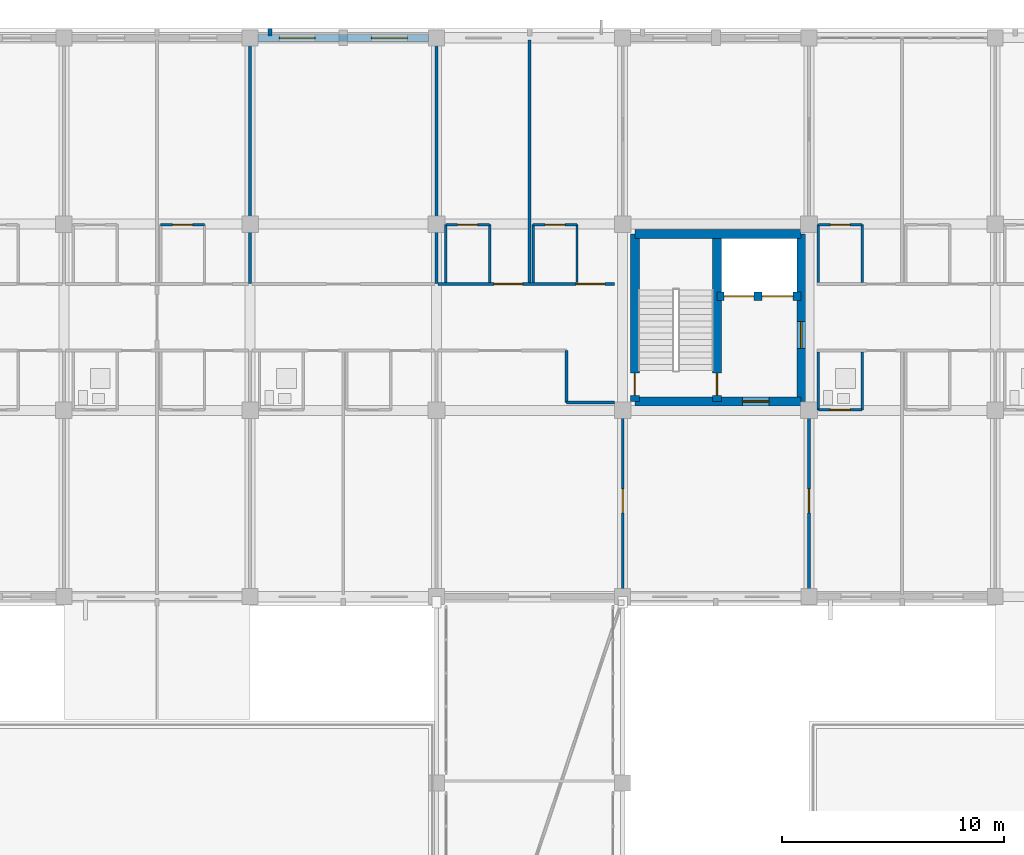
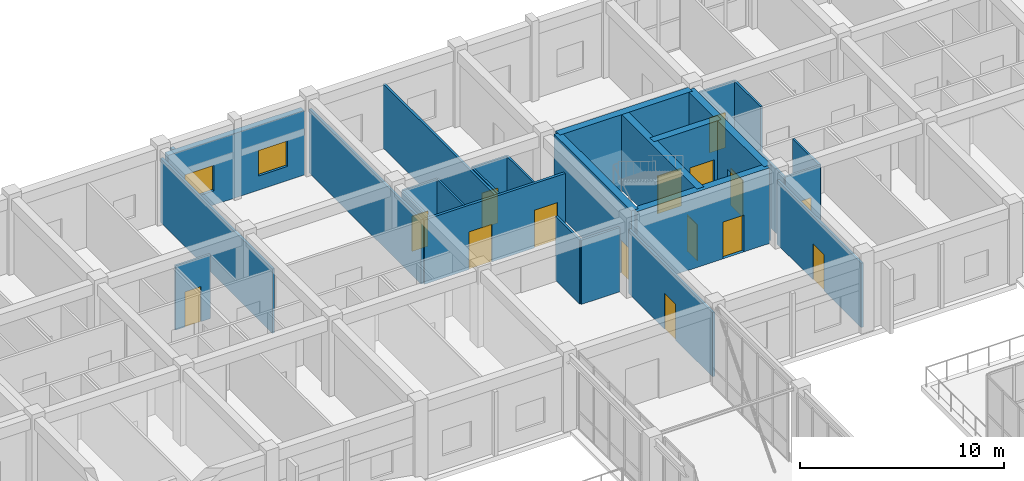
# One storey, part 131 of 158: 29 walls, 15 doors, 2 windows, 17 openings.
"""IFC4 building model written with IfcOpenShell, lengths in metres."""

from ifc_helpers import new_model, si_unit, direction, frame, frame_2d, origin, place, context, subcontext, project, spatial, rectangle, extrude, material, layer, layer_set, type_object, element, fill, save


model = new_model("IFC4")

# Units and contexts
model_context = context("Model", 3, precision=1e-05, world=origin(), true_north=direction((0.0, 1.0)))
body_context = subcontext(model_context, "Body", "Model", "MODEL_VIEW")
ifc_project = project(units=[si_unit("LENGTHUNIT", "METRE"), si_unit("AREAUNIT", "SQUARE_METRE"), si_unit("VOLUMEUNIT", "CUBIC_METRE"), si_unit("PLANEANGLEUNIT", "RADIAN"), si_unit("MASSUNIT", "GRAM", prefix="KILO")], contexts=[model_context])

# Site, building, storey
site_placement = place(None, origin())
site = spatial("IfcSite", under=ifc_project, at=site_placement, CompositionType="ELEMENT")
building_placement = place(site_placement, origin())
building = spatial("IfcBuilding", under=site, at=building_placement, Name="Trelvath General Hospital", CompositionType="ELEMENT")
storey_placement = place(building_placement, frame((0.0, 0.0, 8.10009765625)))
storey = spatial("IfcBuildingStorey", under=building, at=storey_placement, Name="L02", CompositionType="ELEMENT", Elevation=8.10009765625)

# Wall
ifc_material_1 = material(Name="Precast concrete C40/50", Category="concrete")
ifc_layer_1 = layer(ifc_material_1, 0.199951171875)
ifc_layer_set_1 = layer_set([ifc_layer_1], Name="Precast concrete C40/50")
wall_type_1 = type_object("IfcWallType", Name="BriseSoleilRib 200", PredefinedType="ELEMENTEDWALL", material=ifc_layer_set_1)
wall_1_placement = place(storey_placement, frame((68.09326171875, 117.675048828125, 0.0), z_axis=(0.0, 0.0, 1.0), x_axis=(0.0, 1.0, 0.0)))
element("IfcWall", 1, at=wall_1_placement, inside=storey, type_object=wall_type_1, Name="Precast Concrete Brise-Soleil Rib Fin L02-198", PredefinedType="ELEMENTEDWALL", context=body_context, shape_type="SweptSolid", body=[
    extrude(rectangle(XDim=0.33984375, YDim=0.199951171875, at=frame_2d((0.169921875, 0.0))), origin(), (0.0, 0.0, 1.0), 3.83984375),
])

# Wall, openings, doors
ifc_material_2 = material(Name="Gypsum acoustic steel-stud partition", Category="steel")
ifc_layer_2 = layer(ifc_material_2, 0.14990234375)
ifc_layer_set_2 = layer_set([ifc_layer_2], Name="Gypsum acoustic steel-stud partition")
wall_type_2 = type_object("IfcWallType", Name="ClinicalPartition 150", PredefinedType="PARTITIONING", material=ifc_layer_set_2)
wall_2_placement = place(storey_placement, frame((83.639892578125, 106.5, 0.0), z_axis=(0.0, 0.0, 1.0), x_axis=(-1.0, 0.0, 0.0)))
wall_2 = element("IfcWall", 2, at=wall_2_placement, inside=storey, type_object=wall_type_2, Name="Corridor Partition N L02-937", PredefinedType="PARTITIONING", context=body_context, shape_type="SweptSolid", body=[
    extrude(rectangle(XDim=7.9599609375, YDim=0.14990234375, at=frame_2d((3.97998046875, 0.0))), origin(), (0.0, 0.0, 1.0), 3.83984375),
])
opening_1_placement = place(wall_2_placement, frame((0.449951171875, 0.0, 0.0)))
opening_1 = element("IfcOpeningElement", 3, at=opening_1_placement, cuts=wall_2, Name="Opening D-2-0753", PredefinedType="OPENING", context=body_context, shape_type="SweptSolid", body=[
    extrude(rectangle(XDim=1.300048828125, YDim=2.25, at=frame_2d((0.64990234375, 1.125))), frame((0.0, 0.0849609375, 0.0), z_axis=(0.0, -1.0, 0.0), x_axis=(1.0, 0.0, 0.0)), (0.0, 0.0, 1.0), 0.169921875),
])
opening_2_placement = place(wall_2_placement, frame((4.14990234375, 0.0, 0.0)))
opening_2 = element("IfcOpeningElement", 4, at=opening_2_placement, cuts=wall_2, Name="Opening D-2-0754", PredefinedType="OPENING", context=body_context, shape_type="SweptSolid", body=[
    extrude(rectangle(XDim=1.300048828125, YDim=2.25, at=frame_2d((0.64990234375, 1.125))), frame((0.0, 0.0849609375, 0.0), z_axis=(0.0, -1.0, 0.0), x_axis=(1.0, 0.0, 0.0)), (0.0, 0.0, 1.0), 0.169921875),
])
ifc_material_3 = material(Name="Hospital bed-leaf timber door", Category="wood")
door_type_1 = type_object("IfcDoorType", Name="Door PatientBed 1300x2250", OperationType="NOTDEFINED", PredefinedType="DOOR", material=ifc_material_3)
door_1_placement = place(opening_1_placement, origin())
door_1 = element("IfcDoor", 5, at=door_1_placement, inside=storey, type_object=door_type_1, Name="Patient Room Door N L02-753", OperationType="SINGLE_SWING_LEFT", OverallHeight=2.25, OverallWidth=1.300048828125, PredefinedType="DOOR", context=body_context, shape_type="SweptSolid", body=[
    extrude(rectangle(XDim=1.300048828125, YDim=2.25, at=frame_2d((0.64990234375, 1.125))), frame((0.0, 0.02490234375, 0.0), z_axis=(0.0, -1.0, 0.0), x_axis=(1.0, 0.0, 0.0)), (0.0, 0.0, 1.0), 0.050048828125),
])
fill(opening_1, door_1)
door_2_placement = place(opening_2_placement, origin())
door_2 = element("IfcDoor", 6, at=door_2_placement, inside=storey, type_object=door_type_1, Name="Patient Room Door N L02-754", OperationType="SINGLE_SWING_LEFT", OverallHeight=2.25, OverallWidth=1.300048828125, PredefinedType="DOOR", context=body_context, shape_type="SweptSolid", body=[
    extrude(rectangle(XDim=1.300048828125, YDim=2.25, at=frame_2d((0.64990234375, 1.125))), frame((0.0, 0.02490234375, 0.0), z_axis=(0.0, -1.0, 0.0), x_axis=(1.0, 0.0, 0.0)), (0.0, 0.0, 1.0), 0.050048828125),
])
fill(opening_2, door_2)

# Wall, opening, door
ifc_material_4 = material(Name="Concrete C40/50", Category="concrete")
ifc_layer_3 = layer(ifc_material_4, 0.39990234375)
ifc_layer_set_3 = layer_set([ifc_layer_3], Name="Concrete C40/50")
wall_type_3 = type_object("IfcWallType", Name="CoreShearWall 400", PredefinedType="SHEAR", material=ifc_layer_set_3)
wall_3_placement = place(storey_placement, frame((84.550048828125, 101.199951171875, 0.0), z_axis=(0.0, 0.0, 1.0), x_axis=(1.0, 0.0, 0.0)))
wall_3 = element("IfcWall", 7, at=wall_3_placement, inside=storey, type_object=wall_type_3, Name="Core Shear Wall C2 S L02", PredefinedType="SHEAR", context=body_context, shape_type="SweptSolid", body=[
    extrude(rectangle(XDim=7.5, YDim=0.39990234375, at=frame_2d((3.75, 0.0))), origin(), (0.0, 0.0, 1.0), 4.52001953125),
])
opening_3_placement = place(wall_3_placement, frame((4.85009765625, 0.0, 0.0)))
opening_3 = element("IfcOpeningElement", 8, at=opening_3_placement, cuts=wall_3, Name="Opening FD-LS22", PredefinedType="OPENING", context=body_context, shape_type="SweptSolid", body=[
    extrude(rectangle(XDim=1.199951171875, YDim=2.199951171875, at=frame_2d((0.60009765625, 1.10009765625))), frame((0.0, 0.2099609375, 0.0), z_axis=(0.0, -1.0, 0.0), x_axis=(1.0, 0.0, 0.0)), (0.0, 0.0, 1.0), 0.419921875),
])
ifc_material_5 = material(Name="Fire-rated steel door", Category="steel")
door_type_2 = type_object("IfcDoorType", Name="Door FireLobby 1200x2200", OperationType="NOTDEFINED", PredefinedType="DOOR", material=ifc_material_5)
door_3_placement = place(opening_3_placement, origin())
door_3 = element("IfcDoor", 9, at=door_3_placement, inside=storey, type_object=door_type_2, Name="Fire Lobby South Door C2 L02", OperationType="SINGLE_SWING_RIGHT", OverallHeight=2.199951171875, OverallWidth=1.199951171875, PredefinedType="DOOR", context=body_context, shape_type="SweptSolid", body=[
    extrude(rectangle(XDim=1.199951171875, YDim=2.199951171875, at=frame_2d((0.60009765625, 1.10009765625))), frame((0.0, 0.02490234375, 0.0), z_axis=(0.0, -1.0, 0.0), x_axis=(1.0, 0.0, 0.0)), (0.0, 0.0, 1.0), 0.050048828125),
])
fill(opening_3, door_3)

# Wall
wall_4_placement = place(storey_placement, frame((84.550048828125, 108.75, 0.0), z_axis=(0.0, 0.0, 1.0), x_axis=(1.0, 0.0, 0.0)))
element("IfcWall", 10, at=wall_4_placement, inside=storey, type_object=wall_type_3, Name="Core Shear Wall C2 N L02", PredefinedType="SHEAR", context=body_context, shape_type="SweptSolid", body=[
    extrude(rectangle(XDim=7.5, YDim=0.39990234375, at=frame_2d((3.75, 0.0))), origin(), (0.0, 0.0, 1.0), 4.52001953125),
])

# Wall, opening, door
wall_5_placement = place(storey_placement, frame((84.550048828125, 101.199951171875, 0.0), z_axis=(0.0, 0.0, 1.0), x_axis=(0.0, 1.0, 0.0)))
wall_5 = element("IfcWall", 11, at=wall_5_placement, inside=storey, type_object=wall_type_3, Name="Core Shear Wall C2 W L02", PredefinedType="SHEAR", context=body_context, shape_type="SweptSolid", body=[
    extrude(rectangle(XDim=7.550048828125, YDim=0.39990234375, at=frame_2d((3.77490234375, 0.0))), origin(), (0.0, 0.0, 1.0), 4.52001953125),
])
opening_4_placement = place(wall_5_placement, frame((0.280029296875, 0.0, 0.0)))
opening_4 = element("IfcOpeningElement", 12, at=opening_4_placement, cuts=wall_5, Name="Opening FD-SW22", PredefinedType="OPENING", context=body_context, shape_type="SweptSolid", body=[
    extrude(rectangle(XDim=1.0, YDim=2.14990234375, at=frame_2d((0.5, 1.074951171875))), frame((0.0, 0.2099609375, 0.0), z_axis=(0.0, -1.0, 0.0), x_axis=(1.0, 0.0, 0.0)), (0.0, 0.0, 1.0), 0.419921875),
])
ifc_material_6 = material(Name="Fire-rated steel door", Category="steel")
door_type_3 = type_object("IfcDoorType", Name="Door FireStair 1100x2150", OperationType="NOTDEFINED", PredefinedType="DOOR", material=ifc_material_6)
door_4_placement = place(opening_4_placement, origin())
door_4 = element("IfcDoor", 13, at=door_4_placement, inside=storey, type_object=door_type_3, Name="West Corridor Stair Door ST2 L02", OperationType="SINGLE_SWING_LEFT", OverallHeight=2.14990234375, OverallWidth=1.0, PredefinedType="DOOR", context=body_context, shape_type="SweptSolid", body=[
    extrude(rectangle(XDim=1.0, YDim=2.14990234375, at=frame_2d((0.5, 1.074951171875))), frame((0.0, 0.02490234375, 0.0), z_axis=(0.0, -1.0, 0.0), x_axis=(1.0, 0.0, 0.0)), (0.0, 0.0, 1.0), 0.050048828125),
])
fill(opening_4, door_4)

wall_6_placement = place(storey_placement, frame((92.050048828125, 101.199951171875, 0.0), z_axis=(0.0, 0.0, 1.0), x_axis=(0.0, 1.0, 0.0)))
wall_6 = element("IfcWall", 14, at=wall_6_placement, inside=storey, type_object=wall_type_3, Name="Core Shear Wall C2 E L02", PredefinedType="SHEAR", context=body_context, shape_type="SweptSolid", body=[
    extrude(rectangle(XDim=7.550048828125, YDim=0.39990234375, at=frame_2d((3.77490234375, 0.0))), origin(), (0.0, 0.0, 1.0), 4.52001953125),
])
opening_5_placement = place(wall_6_placement, frame((2.39990234375, 0.0, 0.0)))
opening_5 = element("IfcOpeningElement", 15, at=opening_5_placement, cuts=wall_6, Name="Opening FD-LE22", PredefinedType="OPENING", context=body_context, shape_type="SweptSolid", body=[
    extrude(rectangle(XDim=1.199951171875, YDim=2.199951171875, at=frame_2d((0.60009765625, 1.10009765625))), frame((0.0, 0.2099609375, 0.0), z_axis=(0.0, -1.0, 0.0), x_axis=(1.0, 0.0, 0.0)), (0.0, 0.0, 1.0), 0.419921875),
])
door_5_placement = place(opening_5_placement, origin())
door_5 = element("IfcDoor", 16, at=door_5_placement, inside=storey, type_object=door_type_2, Name="Fire Lobby East Corridor Door C2 L02", OperationType="SINGLE_SWING_LEFT", OverallHeight=2.199951171875, OverallWidth=1.199951171875, PredefinedType="DOOR", context=body_context, shape_type="SweptSolid", body=[
    extrude(rectangle(XDim=1.199951171875, YDim=2.199951171875, at=frame_2d((0.60009765625, 1.10009765625))), frame((0.0, 0.02490234375, 0.0), z_axis=(0.0, -1.0, 0.0), x_axis=(1.0, 0.0, 0.0)), (0.0, 0.0, 1.0), 0.050048828125),
])
fill(opening_5, door_5)

wall_7_placement = place(storey_placement, frame((88.25, 101.199951171875, 0.0), z_axis=(0.0, 0.0, 1.0), x_axis=(0.0, 1.0, 0.0)))
wall_7 = element("IfcWall", 17, at=wall_7_placement, inside=storey, type_object=wall_type_3, Name="Core Shear Wall C2 SPINE L02", PredefinedType="SHEAR", context=body_context, shape_type="SweptSolid", body=[
    extrude(rectangle(XDim=7.550048828125, YDim=0.39990234375, at=frame_2d((3.77490234375, 0.0))), origin(), (0.0, 0.0, 1.0), 4.52001953125),
])
opening_6_placement = place(wall_7_placement, frame((0.280029296875, 0.0, 0.0)))
opening_6 = element("IfcOpeningElement", 18, at=opening_6_placement, cuts=wall_7, Name="Opening FD-S22", PredefinedType="OPENING", context=body_context, shape_type="SweptSolid", body=[
    extrude(rectangle(XDim=1.0, YDim=2.14990234375, at=frame_2d((0.5, 1.074951171875))), frame((0.0, 0.2099609375, 0.0), z_axis=(0.0, -1.0, 0.0), x_axis=(1.0, 0.0, 0.0)), (0.0, 0.0, 1.0), 0.419921875),
])
door_6_placement = place(opening_6_placement, origin())
door_6 = element("IfcDoor", 19, at=door_6_placement, inside=storey, type_object=door_type_3, Name="Exit Stair Door ST2 L02", OperationType="SINGLE_SWING_RIGHT", OverallHeight=2.14990234375, OverallWidth=1.0, PredefinedType="DOOR", context=body_context, shape_type="SweptSolid", body=[
    extrude(rectangle(XDim=1.0, YDim=2.14990234375, at=frame_2d((0.5, 1.074951171875))), frame((0.0, 0.02490234375, 0.0), z_axis=(0.0, -1.0, 0.0), x_axis=(1.0, 0.0, 0.0)), (0.0, 0.0, 1.0), 0.050048828125),
])
fill(opening_6, door_6)

# Wall, openings, doors
wall_8_placement = place(storey_placement, frame((88.25, 105.949951171875, 0.0), z_axis=(0.0, 0.0, 1.0), x_axis=(1.0, 0.0, 0.0)))
wall_8 = element("IfcWall", 20, at=wall_8_placement, inside=storey, type_object=wall_type_3, Name="Core Shear Wall C2 SHAFT L02", PredefinedType="SHEAR", context=body_context, shape_type="SweptSolid", body=[
    extrude(rectangle(XDim=3.800048828125, YDim=0.39990234375, at=frame_2d((1.89990234375, 0.0))), origin(), (0.0, 0.0, 1.0), 4.52001953125),
])
opening_7_placement = place(wall_8_placement, frame((0.320068359375, 0.0, 0.0)))
opening_7 = element("IfcOpeningElement", 21, at=opening_7_placement, cuts=wall_8, Name="Opening LD-FF2-2", PredefinedType="OPENING", context=body_context, shape_type="SweptSolid", body=[
    extrude(rectangle(XDim=1.35009765625, YDim=2.25, at=frame_2d((0.675048828125, 1.125))), frame((0.0, 0.2099609375, 0.0), z_axis=(0.0, -1.0, 0.0), x_axis=(1.0, 0.0, 0.0)), (0.0, 0.0, 1.0), 0.419921875),
])
opening_8_placement = place(wall_8_placement, frame((2.0400390625, 0.0, 0.0)))
opening_8 = element("IfcOpeningElement", 22, at=opening_8_placement, cuts=wall_8, Name="Opening LD-BD2-2", PredefinedType="OPENING", context=body_context, shape_type="SweptSolid", body=[
    extrude(rectangle(XDim=1.39990234375, YDim=2.25, at=frame_2d((0.699951171875, 1.125))), frame((0.0, 0.2099609375, 0.0), z_axis=(0.0, -1.0, 0.0), x_axis=(1.0, 0.0, 0.0)), (0.0, 0.0, 1.0), 0.419921875),
])
ifc_material_7 = material(Name="Stainless steel stretcher lift landing door", Category="steel")
door_type_4 = type_object("IfcDoorType", Name="Door LiftBed 1400x2250", OperationType="SLIDING_TO_LEFT", PredefinedType="DOOR", material=ifc_material_7)
door_7_placement = place(opening_8_placement, origin())
door_7 = element("IfcDoor", 23, at=door_7_placement, inside=storey, type_object=door_type_4, Name="Lift Landing Sliding Door LF-BD2 L02", OperationType="SLIDING_TO_LEFT", OverallHeight=2.25, OverallWidth=1.39990234375, PredefinedType="DOOR", context=body_context, shape_type="SweptSolid", body=[
    extrude(rectangle(XDim=1.39990234375, YDim=2.25, at=frame_2d((0.699951171875, 1.125))), frame((0.0, 0.02490234375, 0.0), z_axis=(0.0, -1.0, 0.0), x_axis=(1.0, 0.0, 0.0)), (0.0, 0.0, 1.0), 0.050048828125),
])
fill(opening_8, door_7)
ifc_material_8 = material(Name="Fire-rated stainless lift landing door")
door_type_5 = type_object("IfcDoorType", Name="Door LiftFire 1350x2250", OperationType="SLIDING_TO_LEFT", PredefinedType="DOOR", material=ifc_material_8)
door_8_placement = place(opening_7_placement, origin())
door_8 = element("IfcDoor", 24, at=door_8_placement, inside=storey, type_object=door_type_5, Name="Lift Landing Sliding Door LF-FF2 L02", OperationType="SLIDING_TO_LEFT", OverallHeight=2.25, OverallWidth=1.35009765625, PredefinedType="DOOR", context=body_context, shape_type="SweptSolid", body=[
    extrude(rectangle(XDim=1.35009765625, YDim=2.25, at=frame_2d((0.675048828125, 1.125))), frame((0.0, 0.02490234375, 0.0), z_axis=(0.0, -1.0, 0.0), x_axis=(1.0, 0.0, 0.0)), (0.0, 0.0, 1.0), 0.050048828125),
])
fill(opening_7, door_8)

# Wall, opening, door
ifc_material_9 = material(Name="Moisture-resistant tile partition")
ifc_layer_4 = layer(ifc_material_9, 0.110107421875)
ifc_layer_set_4 = layer_set([ifc_layer_4], Name="Moisture-resistant tile partition")
wall_type_4 = type_object("IfcWallType", Name="EnSuiteWetWall 110", PredefinedType="PARTITIONING", material=ifc_layer_set_4)
wall_9_placement = place(storey_placement, frame((63.159912109375, 109.179931640625, 0.0), z_axis=(0.0, 0.0, 1.0), x_axis=(1.0, 0.0, 0.0)))
wall_9 = element("IfcWall", 25, at=wall_9_placement, inside=storey, type_object=wall_type_4, Name="En-Suite Bathroom N Partition L02-919", PredefinedType="PARTITIONING", context=body_context, shape_type="SweptSolid", body=[
    extrude(rectangle(XDim=1.97998046875, YDim=0.110107421875, at=frame_2d((0.989990234375, 0.0))), origin(), (0.0, 0.0, 1.0), 3.83984375),
])
opening_9_placement = place(wall_9_placement, frame((0.5400390625, 0.0, 0.0)))
opening_9 = element("IfcOpeningElement", 26, at=opening_9_placement, cuts=wall_9, Name="Opening D-2-0745", PredefinedType="OPENING", context=body_context, shape_type="SweptSolid", body=[
    extrude(rectangle(XDim=0.89990234375, YDim=2.10009765625, at=frame_2d((0.449951171875, 1.050048828125))), frame((0.0, 0.06494140625, 0.0), z_axis=(0.0, -1.0, 0.0), x_axis=(1.0, 0.0, 0.0)), (0.0, 0.0, 1.0), 0.130126953125),
])
ifc_material_10 = material(Name="Moisture-sealed timber leaf", Category="wood")
door_type_6 = type_object("IfcDoorType", Name="Door EnSuite 900x2100", OperationType="NOTDEFINED", PredefinedType="DOOR", material=ifc_material_10)
door_9_placement = place(opening_9_placement, origin())
door_9 = element("IfcDoor", 27, at=door_9_placement, inside=storey, type_object=door_type_6, Name="En-Suite Bathroom N Door L02-745", OperationType="SINGLE_SWING_RIGHT", OverallHeight=2.10009765625, OverallWidth=0.89990234375, PredefinedType="DOOR", context=body_context, shape_type="SweptSolid", body=[
    extrude(rectangle(XDim=0.89990234375, YDim=2.10009765625, at=frame_2d((0.449951171875, 1.050048828125))), frame((0.0, 0.02490234375, 0.0), z_axis=(0.0, -1.0, 0.0), x_axis=(1.0, 0.0, 0.0)), (0.0, 0.0, 1.0), 0.050048828125),
])
fill(opening_9, door_9)

# Walls
for number, where, z_axis, x_axis, name in (
    (28, (76.02001953125, 106.570068359375, 0.0), (0.0, 0.0, 1.0), (0.0, 1.0, 0.0), "En-Suite W Wall N L02-939"),
    (29, (78.0, 106.570068359375, 0.0), (0.0, 0.0, 1.0), (0.0, 1.0, 0.0), "En-Suite E Wall N L02-940"),
):
    element("IfcWall", number, at=place(storey_placement, frame(where, z_axis=z_axis, x_axis=x_axis)), inside=storey, type_object=wall_type_4, Name=name, PredefinedType="PARTITIONING", context=body_context, shape_type="SweptSolid", body=[
        extrude(rectangle(XDim=2.60986328125, YDim=0.110107421875, at=frame_2d((1.304931640625, 0.0))), origin(), (0.0, 0.0, 1.0), 3.83984375),
    ])

# Wall, opening, door
wall_10_placement = place(storey_placement, frame((76.02001953125, 109.179931640625, 0.0), z_axis=(0.0, 0.0, 1.0), x_axis=(1.0, 0.0, 0.0)))
wall_10 = element("IfcWall", 30, at=wall_10_placement, inside=storey, type_object=wall_type_4, Name="En-Suite Bathroom N Partition L02-941", PredefinedType="PARTITIONING", context=body_context, shape_type="SweptSolid", body=[
    extrude(rectangle(XDim=1.97998046875, YDim=0.110107421875, at=frame_2d((0.989990234375, 0.0))), origin(), (0.0, 0.0, 1.0), 3.83984375),
])
opening_10_placement = place(wall_10_placement, frame((0.5400390625, 0.0, 0.0)))
opening_10 = element("IfcOpeningElement", 31, at=opening_10_placement, cuts=wall_10, Name="Opening D-2-0755", PredefinedType="OPENING", context=body_context, shape_type="SweptSolid", body=[
    extrude(rectangle(XDim=0.89990234375, YDim=2.10009765625, at=frame_2d((0.449951171875, 1.050048828125))), frame((0.0, 0.06494140625, 0.0), z_axis=(0.0, -1.0, 0.0), x_axis=(1.0, 0.0, 0.0)), (0.0, 0.0, 1.0), 0.130126953125),
])
door_10_placement = place(opening_10_placement, origin())
door_10 = element("IfcDoor", 32, at=door_10_placement, inside=storey, type_object=door_type_6, Name="En-Suite Bathroom N Door L02-755", OperationType="SINGLE_SWING_RIGHT", OverallHeight=2.10009765625, OverallWidth=0.89990234375, PredefinedType="DOOR", context=body_context, shape_type="SweptSolid", body=[
    extrude(rectangle(XDim=0.89990234375, YDim=2.10009765625, at=frame_2d((0.449951171875, 1.050048828125))), frame((0.0, 0.02490234375, 0.0), z_axis=(0.0, -1.0, 0.0), x_axis=(1.0, 0.0, 0.0)), (0.0, 0.0, 1.0), 0.050048828125),
])
fill(opening_10, door_10)

# Walls
for number, where, z_axis, x_axis, name in (
    (33, (79.9599609375, 106.570068359375, 0.0), (0.0, 0.0, 1.0), (0.0, 1.0, 0.0), "En-Suite W Wall N L02-942"),
    (34, (81.93994140625, 106.570068359375, 0.0), (0.0, 0.0, 1.0), (0.0, 1.0, 0.0), "En-Suite E Wall N L02-943"),
):
    element("IfcWall", number, at=place(storey_placement, frame(where, z_axis=z_axis, x_axis=x_axis)), inside=storey, type_object=wall_type_4, Name=name, PredefinedType="PARTITIONING", context=body_context, shape_type="SweptSolid", body=[
        extrude(rectangle(XDim=2.60986328125, YDim=0.110107421875, at=frame_2d((1.304931640625, 0.0))), origin(), (0.0, 0.0, 1.0), 3.83984375),
    ])

# Wall, opening, door
wall_11_placement = place(storey_placement, frame((79.9599609375, 109.179931640625, 0.0), z_axis=(0.0, 0.0, 1.0), x_axis=(1.0, 0.0, 0.0)))
wall_11 = element("IfcWall", 35, at=wall_11_placement, inside=storey, type_object=wall_type_4, Name="En-Suite Bathroom N Partition L02-944", PredefinedType="PARTITIONING", context=body_context, shape_type="SweptSolid", body=[
    extrude(rectangle(XDim=1.97998046875, YDim=0.110107421875, at=frame_2d((0.989990234375, 0.0))), origin(), (0.0, 0.0, 1.0), 3.83984375),
])
opening_11_placement = place(wall_11_placement, frame((0.5400390625, 0.0, 0.0)))
opening_11 = element("IfcOpeningElement", 36, at=opening_11_placement, cuts=wall_11, Name="Opening D-2-0756", PredefinedType="OPENING", context=body_context, shape_type="SweptSolid", body=[
    extrude(rectangle(XDim=0.89990234375, YDim=2.10009765625, at=frame_2d((0.449951171875, 1.050048828125))), frame((0.0, 0.06494140625, 0.0), z_axis=(0.0, -1.0, 0.0), x_axis=(1.0, 0.0, 0.0)), (0.0, 0.0, 1.0), 0.130126953125),
])
door_11_placement = place(opening_11_placement, origin())
door_11 = element("IfcDoor", 37, at=door_11_placement, inside=storey, type_object=door_type_6, Name="En-Suite Bathroom N Door L02-756", OperationType="SINGLE_SWING_LEFT", OverallHeight=2.10009765625, OverallWidth=0.89990234375, PredefinedType="DOOR", context=body_context, shape_type="SweptSolid", body=[
    extrude(rectangle(XDim=0.89990234375, YDim=2.10009765625, at=frame_2d((0.449951171875, 1.050048828125))), frame((0.0, 0.02490234375, 0.0), z_axis=(0.0, -1.0, 0.0), x_axis=(1.0, 0.0, 0.0)), (0.0, 0.0, 1.0), 0.050048828125),
])
fill(opening_11, door_11)

# Walls
for number, where, z_axis, x_axis, name in (
    (38, (92.820068359375, 100.820068359375, 0.0), (0.0, 0.0, 1.0), (0.0, 1.0, 0.0), "En-Suite W Wall L02-951"),
    (39, (94.800048828125, 100.820068359375, 0.0), (0.0, 0.0, 1.0), (0.0, 1.0, 0.0), "En-Suite E Wall L02-952"),
):
    element("IfcWall", number, at=place(storey_placement, frame(where, z_axis=z_axis, x_axis=x_axis)), inside=storey, type_object=wall_type_4, Name=name, PredefinedType="PARTITIONING", context=body_context, shape_type="SweptSolid", body=[
        extrude(rectangle(XDim=2.60986328125, YDim=0.110107421875, at=frame_2d((1.304931640625, 0.0))), origin(), (0.0, 0.0, 1.0), 3.83984375),
    ])

# Wall, opening, door
wall_12_placement = place(storey_placement, frame((92.820068359375, 100.820068359375, 0.0), z_axis=(0.0, 0.0, 1.0), x_axis=(1.0, 0.0, 0.0)))
wall_12 = element("IfcWall", 40, at=wall_12_placement, inside=storey, type_object=wall_type_4, Name="En-Suite Bathroom Partition L02-953", PredefinedType="PARTITIONING", context=body_context, shape_type="SweptSolid", body=[
    extrude(rectangle(XDim=1.97998046875, YDim=0.110107421875, at=frame_2d((0.989990234375, 0.0))), origin(), (0.0, 0.0, 1.0), 3.83984375),
])
opening_12_placement = place(wall_12_placement, frame((0.5400390625, 0.0, 0.0)))
opening_12 = element("IfcOpeningElement", 41, at=opening_12_placement, cuts=wall_12, Name="Opening D-2-0763", PredefinedType="OPENING", context=body_context, shape_type="SweptSolid", body=[
    extrude(rectangle(XDim=0.89990234375, YDim=2.10009765625, at=frame_2d((0.449951171875, 1.050048828125))), frame((0.0, 0.06494140625, 0.0), z_axis=(0.0, -1.0, 0.0), x_axis=(1.0, 0.0, 0.0)), (0.0, 0.0, 1.0), 0.130126953125),
])
door_12_placement = place(opening_12_placement, origin())
door_12 = element("IfcDoor", 42, at=door_12_placement, inside=storey, type_object=door_type_6, Name="En-Suite Bathroom Door L02-763", OperationType="SINGLE_SWING_RIGHT", OverallHeight=2.10009765625, OverallWidth=0.89990234375, PredefinedType="DOOR", context=body_context, shape_type="SweptSolid", body=[
    extrude(rectangle(XDim=0.89990234375, YDim=2.10009765625, at=frame_2d((0.449951171875, 1.050048828125))), frame((0.0, 0.02490234375, 0.0), z_axis=(0.0, -1.0, 0.0), x_axis=(1.0, 0.0, 0.0)), (0.0, 0.0, 1.0), 0.050048828125),
])
fill(opening_12, door_12)

# Walls
for number, where, z_axis, x_axis, name in (
    (43, (92.820068359375, 106.570068359375, 0.0), (0.0, 0.0, 1.0), (0.0, 1.0, 0.0), "En-Suite W Wall N L02-959"),
    (44, (94.800048828125, 106.570068359375, 0.0), (0.0, 0.0, 1.0), (0.0, 1.0, 0.0), "En-Suite E Wall N L02-960"),
):
    element("IfcWall", number, at=place(storey_placement, frame(where, z_axis=z_axis, x_axis=x_axis)), inside=storey, type_object=wall_type_4, Name=name, PredefinedType="PARTITIONING", context=body_context, shape_type="SweptSolid", body=[
        extrude(rectangle(XDim=2.60986328125, YDim=0.110107421875, at=frame_2d((1.304931640625, 0.0))), origin(), (0.0, 0.0, 1.0), 3.83984375),
    ])

# Wall, opening, door
wall_13_placement = place(storey_placement, frame((92.820068359375, 109.179931640625, 0.0), z_axis=(0.0, 0.0, 1.0), x_axis=(1.0, 0.0, 0.0)))
wall_13 = element("IfcWall", 45, at=wall_13_placement, inside=storey, type_object=wall_type_4, Name="En-Suite Bathroom N Partition L02-961", PredefinedType="PARTITIONING", context=body_context, shape_type="SweptSolid", body=[
    extrude(rectangle(XDim=1.97998046875, YDim=0.110107421875, at=frame_2d((0.989990234375, 0.0))), origin(), (0.0, 0.0, 1.0), 3.83984375),
])
opening_13_placement = place(wall_13_placement, frame((0.5400390625, 0.0, 0.0)))
opening_13 = element("IfcOpeningElement", 46, at=opening_13_placement, cuts=wall_13, Name="Opening D-2-0767", PredefinedType="OPENING", context=body_context, shape_type="SweptSolid", body=[
    extrude(rectangle(XDim=0.89990234375, YDim=2.10009765625, at=frame_2d((0.449951171875, 1.050048828125))), frame((0.0, 0.06494140625, 0.0), z_axis=(0.0, -1.0, 0.0), x_axis=(1.0, 0.0, 0.0)), (0.0, 0.0, 1.0), 0.130126953125),
])
door_13_placement = place(opening_13_placement, origin())
door_13 = element("IfcDoor", 47, at=door_13_placement, inside=storey, type_object=door_type_6, Name="En-Suite Bathroom N Door L02-767", OperationType="SINGLE_SWING_LEFT", OverallHeight=2.10009765625, OverallWidth=0.89990234375, PredefinedType="DOOR", context=body_context, shape_type="SweptSolid", body=[
    extrude(rectangle(XDim=0.89990234375, YDim=2.10009765625, at=frame_2d((0.449951171875, 1.050048828125))), frame((0.0, 0.02490234375, 0.0), z_axis=(0.0, -1.0, 0.0), x_axis=(1.0, 0.0, 0.0)), (0.0, 0.0, 1.0), 0.050048828125),
])
fill(opening_13, door_13)

# Wall, openings, windows
ifc_material_11 = material(Name="Concrete C35/45", Category="concrete")
ifc_layer_5 = layer(ifc_material_11, 0.320068359375)
ifc_layer_set_5 = layer_set([ifc_layer_5], Name="Concrete C35/45")
wall_type_5 = type_object("IfcWallType", Name="ExtThermalWall 320", PredefinedType="SOLIDWALL", material=ifc_layer_set_5)
wall_14_placement = place(storey_placement, frame((67.554931640625, 117.60009765625, 0.0), z_axis=(0.0, 0.0, 1.0), x_axis=(1.0, 0.0, 0.0)))
wall_14 = element("IfcWall", 48, at=wall_14_placement, inside=storey, type_object=wall_type_5, Name="Exterior Concrete Wall L02-265", PredefinedType="SOLIDWALL", context=body_context, shape_type="SweptSolid", body=[
    extrude(rectangle(XDim=7.690185546875, YDim=0.320068359375, at=frame_2d((3.84521484375, 0.0))), origin(), (0.0, 0.0, 1.0), 3.85986328125),
])
opening_14_placement = place(wall_14_placement, frame((0.958740234375, 0.0, 0.85009765625)))
opening_14 = element("IfcOpeningElement", 49, at=opening_14_placement, cuts=wall_14, Name="Opening WN-2-427", PredefinedType="OPENING", context=body_context, shape_type="SweptSolid", body=[
    extrude(rectangle(XDim=1.6201171875, YDim=1.52001953125, at=frame_2d((0.81005859375, 0.760009765625))), frame((0.0, 0.169921875, 0.0), z_axis=(0.0, -1.0, 0.0), x_axis=(1.0, 0.0, 0.0)), (0.0, 0.0, 1.0), 0.340087890625),
])
opening_15_placement = place(wall_14_placement, frame((5.111328125, 0.0, 0.85009765625)))
opening_15 = element("IfcOpeningElement", 50, at=opening_15_placement, cuts=wall_14, Name="Opening WN-2-428", PredefinedType="OPENING", context=body_context, shape_type="SweptSolid", body=[
    extrude(rectangle(XDim=1.6201171875, YDim=1.52001953125, at=frame_2d((0.81005859375, 0.760009765625))), frame((0.0, 0.169921875, 0.0), z_axis=(0.0, -1.0, 0.0), x_axis=(1.0, 0.0, 0.0)), (0.0, 0.0, 1.0), 0.340087890625),
])
ifc_material_12 = material(Name="Low-E laminated glass", Category="glass")
window_type = type_object("IfcWindowType", Name="Window Triage 1620x1520", PartitioningType="DOUBLE_PANEL_VERTICAL", PredefinedType="WINDOW", material=ifc_material_12)
window_1_placement = place(opening_14_placement, origin())
window_1 = element("IfcWindow", 51, at=window_1_placement, inside=storey, type_object=window_type, Name="Solar Reveal Window L02-427", OverallHeight=1.52001953125, OverallWidth=1.6201171875, PartitioningType="SINGLE_PANEL", PredefinedType="WINDOW", context=body_context, shape_type="SweptSolid", body=[
    extrude(rectangle(XDim=1.6201171875, YDim=1.52001953125, at=frame_2d((0.81005859375, 0.760009765625))), frame((0.0, 0.030029296875, 0.0), z_axis=(0.0, -1.0, 0.0), x_axis=(1.0, 0.0, 0.0)), (0.0, 0.0, 1.0), 0.06005859375),
])
fill(opening_14, window_1)
window_2_placement = place(opening_15_placement, origin())
window_2 = element("IfcWindow", 52, at=window_2_placement, inside=storey, type_object=window_type, Name="Solar Reveal Window L02-428", OverallHeight=1.52001953125, OverallWidth=1.6201171875, PartitioningType="SINGLE_PANEL", PredefinedType="WINDOW", context=body_context, shape_type="SweptSolid", body=[
    extrude(rectangle(XDim=1.6201171875, YDim=1.52001953125, at=frame_2d((0.81005859375, 0.760009765625))), frame((0.0, 0.030029296875, 0.0), z_axis=(0.0, -1.0, 0.0), x_axis=(1.0, 0.0, 0.0)), (0.0, 0.0, 1.0), 0.06005859375),
])
fill(opening_15, window_2)

# Walls
ifc_material_13 = material(Name="Gypsum acoustic steel-stud partition", Category="steel")
ifc_layer_6 = layer(ifc_material_13, 0.1298828125)
ifc_layer_set_6 = layer_set([ifc_layer_6], Name="Gypsum acoustic steel-stud partition")
wall_type_6 = type_object("IfcWallType", Name="WardPartition 130", PredefinedType="PARTITIONING", material=ifc_layer_set_6)
for number, where, z_axis, x_axis, name in (
    (53, (67.199951171875, 106.52001953125, 0.0), (0.0, 0.0, 1.0), (0.0, 1.0, 0.0), "Inter-Bay Ward Partition N L02-922"),
    (54, (75.60009765625, 106.52001953125, 0.0), (0.0, 0.0, 1.0), (0.0, 1.0, 0.0), "Inter-Bay Ward Partition N L02-933"),
):
    element("IfcWall", number, at=place(storey_placement, frame(where, z_axis=z_axis, x_axis=x_axis)), inside=storey, type_object=wall_type_6, Name=name, PredefinedType="PARTITIONING", context=body_context, shape_type="SweptSolid", body=[
        extrude(rectangle(XDim=10.93994140625, YDim=0.1298828125, at=frame_2d((5.469970703125, 0.0))), origin(), (0.0, 0.0, 1.0), 3.83984375),
    ])
wall_15_placement = place(storey_placement, frame((81.4599609375, 101.159912109375, 0.0), z_axis=(0.0, 0.0, 1.0), x_axis=(0.0, 1.0, 0.0)))
element("IfcWall", 55, at=wall_15_placement, inside=storey, type_object=wall_type_6, Name="Nurse Alcove Partition L02-935", PredefinedType="PARTITIONING", context=body_context, shape_type="SweptSolid", body=[
    extrude(rectangle(XDim=2.340087890625, YDim=0.1298828125, at=frame_2d((1.169921875, 0.0))), origin(), (0.0, 0.0, 1.0), 3.83984375),
])
wall_16_placement = place(storey_placement, frame((81.4599609375, 101.159912109375, 0.0), z_axis=(0.0, 0.0, 1.0), x_axis=(1.0, 0.0, 0.0)))
element("IfcWall", 56, at=wall_16_placement, inside=storey, type_object=wall_type_6, Name="Bridge Alcove Return L02-936", PredefinedType="PARTITIONING", context=body_context, shape_type="SweptSolid", body=[
    extrude(rectangle(XDim=2.179931640625, YDim=0.1298828125, at=frame_2d((1.08984375, 0.0))), origin(), (0.0, 0.0, 1.0), 3.83984375),
])
wall_17_placement = place(storey_placement, frame((79.800048828125, 106.570068359375, 0.0), z_axis=(0.0, 0.0, 1.0), x_axis=(0.0, 1.0, 0.0)))
element("IfcWall", 57, at=wall_17_placement, inside=storey, type_object=wall_type_6, Name="Room Dividing Partition N L02-938", PredefinedType="PARTITIONING", context=body_context, shape_type="SweptSolid", body=[
    extrude(rectangle(XDim=10.929931640625, YDim=0.1298828125, at=frame_2d((5.46484375, 0.0))), origin(), (0.0, 0.0, 1.0), 3.83984375),
])

# Wall, opening, door
wall_18_placement = place(storey_placement, frame((84.0, 92.5400390625, 0.0), z_axis=(0.0, 0.0, 1.0), x_axis=(0.0, 1.0, 0.0)))
wall_18 = element("IfcWall", 58, at=wall_18_placement, inside=storey, type_object=wall_type_6, Name="Inter-Bay Ward Partition S L02-945", PredefinedType="PARTITIONING", context=body_context, shape_type="SweptSolid", body=[
    extrude(rectangle(XDim=8.2099609375, YDim=0.1298828125, at=frame_2d((4.10498046875, 0.0))), origin(), (0.0, 0.0, 1.0), 3.83984375),
])
opening_16_placement = place(wall_18_placement, frame((3.639892578125, 0.0, 0.0)))
opening_16 = element("IfcOpeningElement", 59, at=opening_16_placement, cuts=wall_18, Name="Opening D-2-0757", PredefinedType="OPENING", context=body_context, shape_type="SweptSolid", body=[
    extrude(rectangle(XDim=1.080078125, YDim=2.14990234375, at=frame_2d((0.5400390625, 1.074951171875))), frame((0.0, 0.074951171875, 0.0), z_axis=(0.0, -1.0, 0.0), x_axis=(1.0, 0.0, 0.0)), (0.0, 0.0, 1.0), 0.14990234375),
])
ifc_material_14 = material(Name="Acoustic hospital timber leaf", Category="wood")
door_type_7 = type_object("IfcDoorType", Name="Door CleanSupply 1080x2150", OperationType="NOTDEFINED", PredefinedType="DOOR", material=ifc_material_14)
door_14_placement = place(opening_16_placement, origin())
door_14 = element("IfcDoor", 60, at=door_14_placement, inside=storey, type_object=door_type_7, Name="Clean Supply Connecting Door L02-757", OperationType="SINGLE_SWING_RIGHT", OverallHeight=2.14990234375, OverallWidth=1.080078125, PredefinedType="DOOR", context=body_context, shape_type="SweptSolid", body=[
    extrude(rectangle(XDim=1.080078125, YDim=2.14990234375, at=frame_2d((0.5400390625, 1.074951171875))), frame((0.0, 0.02490234375, 0.0), z_axis=(0.0, -1.0, 0.0), x_axis=(1.0, 0.0, 0.0)), (0.0, 0.0, 1.0), 0.050048828125),
])
fill(opening_16, door_14)

wall_19_placement = place(storey_placement, frame((92.39990234375, 92.5400390625, 0.0), z_axis=(0.0, 0.0, 1.0), x_axis=(0.0, 1.0, 0.0)))
wall_19 = element("IfcWall", 61, at=wall_19_placement, inside=storey, type_object=wall_type_6, Name="Inter-Bay Ward Partition S L02-947", PredefinedType="PARTITIONING", context=body_context, shape_type="SweptSolid", body=[
    extrude(rectangle(XDim=8.2099609375, YDim=0.1298828125, at=frame_2d((4.10498046875, 0.0))), origin(), (0.0, 0.0, 1.0), 3.83984375),
])
opening_17_placement = place(wall_19_placement, frame((3.639892578125, 0.0, 0.0)))
opening_17 = element("IfcOpeningElement", 62, at=opening_17_placement, cuts=wall_19, Name="Opening D-2-0759", PredefinedType="OPENING", context=body_context, shape_type="SweptSolid", body=[
    extrude(rectangle(XDim=1.080078125, YDim=2.14990234375, at=frame_2d((0.5400390625, 1.074951171875))), frame((0.0, 0.074951171875, 0.0), z_axis=(0.0, -1.0, 0.0), x_axis=(1.0, 0.0, 0.0)), (0.0, 0.0, 1.0), 0.14990234375),
])
door_15_placement = place(opening_17_placement, origin())
door_15 = element("IfcDoor", 63, at=door_15_placement, inside=storey, type_object=door_type_7, Name="Clean Supply Connecting Door L02-759", OperationType="SINGLE_SWING_RIGHT", OverallHeight=2.14990234375, OverallWidth=1.080078125, PredefinedType="DOOR", context=body_context, shape_type="SweptSolid", body=[
    extrude(rectangle(XDim=1.080078125, YDim=2.14990234375, at=frame_2d((0.5400390625, 1.074951171875))), frame((0.0, 0.02490234375, 0.0), z_axis=(0.0, -1.0, 0.0), x_axis=(1.0, 0.0, 0.0)), (0.0, 0.0, 1.0), 0.050048828125),
])
fill(opening_17, door_15)

save(model, "model.ifc")
